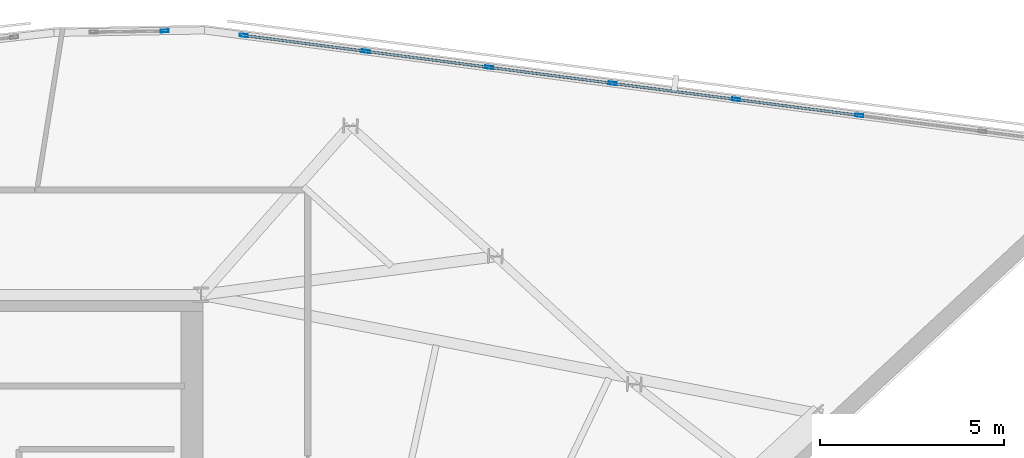
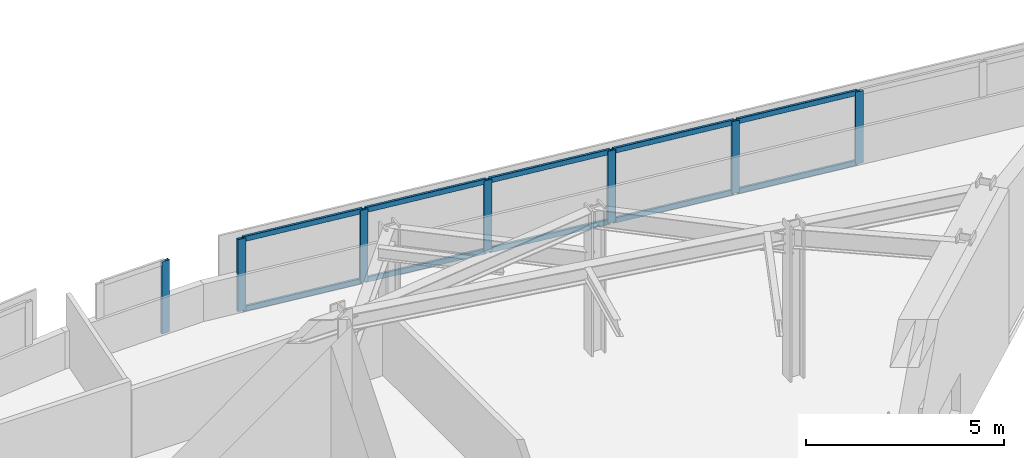
# One storey, part 6 of 12: 17 members, 2 elements without a shape of their own.
"""IFC4 building model written with IfcOpenShell, lengths in metres."""

from ifc_helpers import new_model, si_unit, direction, frame, origin, origin_2d, place, context, subcontext, project, spatial, hollow_rectangle, extrude, material, material_profile, profile_set, type_object, element, aggregate, save


model = new_model("IFC4")

# Units and contexts
model_context = context("Model", 3, precision=1e-05, world=origin(), true_north=direction((0.0, 1.0)))
body_context = subcontext(model_context, "Body", "Model", "MODEL_VIEW")
ifc_project = project(units=[si_unit("LENGTHUNIT", "METRE"), si_unit("AREAUNIT", "SQUARE_METRE"), si_unit("VOLUMEUNIT", "CUBIC_METRE"), si_unit("PLANEANGLEUNIT", "RADIAN"), si_unit("MASSUNIT", "GRAM", prefix="KILO")], contexts=[model_context])

# Site, building, storey
site_placement = place(None, origin())
site = spatial("IfcSite", under=ifc_project, at=site_placement, CompositionType="ELEMENT")
building_placement = place(site_placement, origin())
building = spatial("IfcBuilding", under=site, at=building_placement, Name="Narakoshi Arena Tower", CompositionType="ELEMENT")
storey_placement = place(building_placement, frame((0.0, 0.0, 307.780029296875)))
storey = spatial("IfcBuildingStorey", under=building, at=storey_placement, Name="L83", CompositionType="ELEMENT", Elevation=307.780029296875)

# Curtain wall, member
ifc_material = material(Name="Anodised bronze aluminium 6063-T6", Category="aluminium")
curtain_wall_type = type_object("IfcCurtainWallType", Name="CW-CRN-FACET", PredefinedType="NOTDEFINED", material=ifc_material)
curtain_wall_1_placement = place(storey_placement, origin())
curtain_wall_1 = element("IfcCurtainWall", 1, at=curtain_wall_1_placement, inside=storey, type_object=curtain_wall_type, Name="L83 Slanted-Cut Crown Curtain Wall 7-1", PredefinedType="NOTDEFINED")
ifc_material_profile_1 = material_profile(ifc_material, hollow_rectangle(XDim=0.080078125, YDim=0.219970703125, WallThickness=0.0048828125, OuterFilletRadius=0.006103515625, at=origin_2d()), Name="MUL220x80x5")
ifc_profile_set_1 = profile_set([ifc_material_profile_1], Name="Anodised bronze aluminium 6063-T6")
member_type_1 = type_object("IfcMemberType", Name="MEM-MUL-220", PredefinedType="MULLION", material=ifc_profile_set_1)
member_1_placement = place(storey_placement, frame((84.55908203125, 63.67236328125, 0.0), z_axis=(0.0, 0.0, 1.0), x_axis=(-0.016431226006, 0.999864998293, 0.0)))
member_1 = element("IfcMember", 2, at=member_1_placement, type_object=member_type_1, Name="CW-06 mullion 2", PredefinedType="MULLION", context=body_context, shape_type="SweptSolid", body=[
    extrude(hollow_rectangle(XDim=0.080078125, YDim=0.219970703125, WallThickness=0.0048828125, OuterFilletRadius=0.006103515625, at=origin_2d()), origin(), (0.0, 0.0, 1.0), 2.2216796875),
])
aggregate(curtain_wall_1, [member_1])

# Curtain wall, members
curtain_wall_2_placement = place(storey_placement, origin())
curtain_wall_2 = element("IfcCurtainWall", 3, at=curtain_wall_2_placement, inside=storey, type_object=curtain_wall_type, Name="L83 Slanted-Cut Crown Curtain Wall 8-1", PredefinedType="NOTDEFINED")
member_2_placement = place(storey_placement, frame((86.70947265625, 63.551025390625, 0.0), z_axis=(0.0, 0.0, 1.0), x_axis=(0.128889528611, 0.991658958218, 0.0)))
member_2 = element("IfcMember", 4, at=member_2_placement, type_object=member_type_1, Name="CW-06 mullion 1", PredefinedType="MULLION", context=body_context, shape_type="SweptSolid", body=[
    extrude(hollow_rectangle(XDim=0.080078125, YDim=0.219970703125, WallThickness=0.0048828125, OuterFilletRadius=0.006103515625, at=origin_2d()), origin(), (0.0, 0.0, 1.0), 2.2216796875),
])
member_3_placement = place(storey_placement, frame((90.025146484375, 63.1201171875, 0.0), z_axis=(0.0, 0.0, 1.0), x_axis=(0.128889528611, 0.991658958218, 0.0)))
member_3 = element("IfcMember", 5, at=member_3_placement, type_object=member_type_1, Name="CW-06 mullion 2", PredefinedType="MULLION", context=body_context, shape_type="SweptSolid", body=[
    extrude(hollow_rectangle(XDim=0.080078125, YDim=0.219970703125, WallThickness=0.0048828125, OuterFilletRadius=0.006103515625, at=origin_2d()), origin(), (0.0, 0.0, 1.0), 2.2216796875),
])
member_4_placement = place(storey_placement, frame((93.38037109375, 62.68408203125, 0.0), z_axis=(0.0, 0.0, 1.0), x_axis=(0.128889528611, 0.991658958218, 0.0)))
member_4 = element("IfcMember", 6, at=member_4_placement, type_object=member_type_1, Name="CW-06 mullion 3", PredefinedType="MULLION", context=body_context, shape_type="SweptSolid", body=[
    extrude(hollow_rectangle(XDim=0.080078125, YDim=0.219970703125, WallThickness=0.0048828125, OuterFilletRadius=0.006103515625, at=origin_2d()), origin(), (0.0, 0.0, 1.0), 2.2216796875),
])
member_5_placement = place(storey_placement, frame((96.7353515625, 62.248046875, 0.0), z_axis=(0.0, 0.0, 1.0), x_axis=(0.128889528611, 0.991658958218, 0.0)))
member_5 = element("IfcMember", 7, at=member_5_placement, type_object=member_type_1, Name="CW-06 mullion 4", PredefinedType="MULLION", context=body_context, shape_type="SweptSolid", body=[
    extrude(hollow_rectangle(XDim=0.080078125, YDim=0.219970703125, WallThickness=0.0048828125, OuterFilletRadius=0.006103515625, at=origin_2d()), origin(), (0.0, 0.0, 1.0), 2.2216796875),
])
member_6_placement = place(storey_placement, frame((100.090576171875, 61.811767578125, 0.0), z_axis=(0.0, 0.0, 1.0), x_axis=(0.128889528611, 0.991658958218, 0.0)))
member_6 = element("IfcMember", 8, at=member_6_placement, type_object=member_type_1, Name="CW-06 mullion 5", PredefinedType="MULLION", context=body_context, shape_type="SweptSolid", body=[
    extrude(hollow_rectangle(XDim=0.080078125, YDim=0.219970703125, WallThickness=0.0048828125, OuterFilletRadius=0.006103515625, at=origin_2d()), origin(), (0.0, 0.0, 1.0), 2.2216796875),
])
member_7_placement = place(storey_placement, frame((103.44580078125, 61.375732421875, 0.0), z_axis=(0.0, 0.0, 1.0), x_axis=(0.128889528611, 0.991658958218, 0.0)))
member_7 = element("IfcMember", 9, at=member_7_placement, type_object=member_type_1, Name="CW-06 mullion 6", PredefinedType="MULLION", context=body_context, shape_type="SweptSolid", body=[
    extrude(hollow_rectangle(XDim=0.080078125, YDim=0.219970703125, WallThickness=0.0048828125, OuterFilletRadius=0.006103515625, at=origin_2d()), origin(), (0.0, 0.0, 1.0), 2.2216796875),
])
ifc_material_profile_2 = material_profile(ifc_material, hollow_rectangle(XDim=0.070068359375, YDim=0.159912109375, WallThickness=0.00390625, OuterFilletRadius=0.0048828125, at=origin_2d()), Name="TRN160x70x4")
ifc_profile_set_2 = profile_set([ifc_material_profile_2], Name="Anodised bronze aluminium 6063-T6")
member_type_2 = type_object("IfcMemberType", Name="MEM-TRN-160", PredefinedType="USERDEFINED", material=ifc_profile_set_2)
member_8_placement = place(storey_placement, frame((86.749267578125, 63.5458984375, 0.034912109375), z_axis=(0.991657051906, -0.128904194676, 0.0), x_axis=(0.128904194676, 0.991657051906, 0.0)))
member_8 = element("IfcMember", 10, at=member_8_placement, type_object=member_type_2, Name="CW-06 transom 1.1", ObjectType="TRANSOM", PredefinedType="USERDEFINED", context=body_context, shape_type="SweptSolid", body=[
    extrude(hollow_rectangle(XDim=0.070068359375, YDim=0.159912109375, WallThickness=0.00390625, OuterFilletRadius=0.0048828125, at=origin_2d()), origin(), (0.0, 0.0, 1.0), 3.263427734375),
])
member_9_placement = place(storey_placement, frame((86.749267578125, 63.5458984375, 2.186767578125), z_axis=(0.991657051906, -0.128904194676, 0.0), x_axis=(0.128904194676, 0.991657051906, 0.0)))
member_9 = element("IfcMember", 11, at=member_9_placement, type_object=member_type_2, Name="CW-06 transom 1.2", ObjectType="TRANSOM", PredefinedType="USERDEFINED", context=body_context, shape_type="SweptSolid", body=[
    extrude(hollow_rectangle(XDim=0.070068359375, YDim=0.159912109375, WallThickness=0.00390625, OuterFilletRadius=0.0048828125, at=origin_2d()), origin(), (0.0, 0.0, 1.0), 3.263427734375),
])
member_10_placement = place(storey_placement, frame((90.064697265625, 63.114990234375, 0.034912109375), z_axis=(0.991658829353, -0.128890520077, 0.0), x_axis=(0.128890520077, 0.991658829353, 0.0)))
member_10 = element("IfcMember", 12, at=member_10_placement, type_object=member_type_2, Name="CW-06 transom 2.1", ObjectType="TRANSOM", PredefinedType="USERDEFINED", context=body_context, shape_type="SweptSolid", body=[
    extrude(hollow_rectangle(XDim=0.070068359375, YDim=0.159912109375, WallThickness=0.00390625, OuterFilletRadius=0.0048828125, at=origin_2d()), origin(), (0.0, 0.0, 1.0), 3.303466796875),
])
member_11_placement = place(storey_placement, frame((90.064697265625, 63.114990234375, 2.186767578125), z_axis=(0.991658829353, -0.128890520077, 0.0), x_axis=(0.128890520077, 0.991658829353, 0.0)))
member_11 = element("IfcMember", 13, at=member_11_placement, type_object=member_type_2, Name="CW-06 transom 2.2", ObjectType="TRANSOM", PredefinedType="USERDEFINED", context=body_context, shape_type="SweptSolid", body=[
    extrude(hollow_rectangle(XDim=0.070068359375, YDim=0.159912109375, WallThickness=0.00390625, OuterFilletRadius=0.0048828125, at=origin_2d()), origin(), (0.0, 0.0, 1.0), 3.303466796875),
])
member_12_placement = place(storey_placement, frame((93.419921875, 62.678955078125, 0.034912109375), z_axis=(0.991658829353, -0.128890520077, 0.0), x_axis=(0.128890520077, 0.991658829353, 0.0)))
member_12 = element("IfcMember", 14, at=member_12_placement, type_object=member_type_2, Name="CW-06 transom 3.1", ObjectType="TRANSOM", PredefinedType="USERDEFINED", context=body_context, shape_type="SweptSolid", body=[
    extrude(hollow_rectangle(XDim=0.070068359375, YDim=0.159912109375, WallThickness=0.00390625, OuterFilletRadius=0.0048828125, at=origin_2d()), origin(), (0.0, 0.0, 1.0), 3.303466796875),
])
member_13_placement = place(storey_placement, frame((93.419921875, 62.678955078125, 2.186767578125), z_axis=(0.991658829353, -0.128890520077, 0.0), x_axis=(0.128890520077, 0.991658829353, 0.0)))
member_13 = element("IfcMember", 15, at=member_13_placement, type_object=member_type_2, Name="CW-06 transom 3.2", ObjectType="TRANSOM", PredefinedType="USERDEFINED", context=body_context, shape_type="SweptSolid", body=[
    extrude(hollow_rectangle(XDim=0.070068359375, YDim=0.159912109375, WallThickness=0.00390625, OuterFilletRadius=0.0048828125, at=origin_2d()), origin(), (0.0, 0.0, 1.0), 3.303466796875),
])
member_14_placement = place(storey_placement, frame((96.775146484375, 62.24267578125, 0.034912109375), z_axis=(0.991658829353, -0.128890520077, 0.0), x_axis=(0.128890520077, 0.991658829353, 0.0)))
member_14 = element("IfcMember", 16, at=member_14_placement, type_object=member_type_2, Name="CW-06 transom 4.1", ObjectType="TRANSOM", PredefinedType="USERDEFINED", context=body_context, shape_type="SweptSolid", body=[
    extrude(hollow_rectangle(XDim=0.070068359375, YDim=0.159912109375, WallThickness=0.00390625, OuterFilletRadius=0.0048828125, at=origin_2d()), origin(), (0.0, 0.0, 1.0), 3.303466796875),
])
member_15_placement = place(storey_placement, frame((96.775146484375, 62.24267578125, 2.186767578125), z_axis=(0.991658829353, -0.128890520077, 0.0), x_axis=(0.128890520077, 0.991658829353, 0.0)))
member_15 = element("IfcMember", 17, at=member_15_placement, type_object=member_type_2, Name="CW-06 transom 4.2", ObjectType="TRANSOM", PredefinedType="USERDEFINED", context=body_context, shape_type="SweptSolid", body=[
    extrude(hollow_rectangle(XDim=0.070068359375, YDim=0.159912109375, WallThickness=0.00390625, OuterFilletRadius=0.0048828125, at=origin_2d()), origin(), (0.0, 0.0, 1.0), 3.303466796875),
])
member_16_placement = place(storey_placement, frame((100.13037109375, 61.806640625, 0.034912109375), z_axis=(0.991658829353, -0.128890520077, 0.0), x_axis=(0.128890520077, 0.991658829353, 0.0)))
member_16 = element("IfcMember", 18, at=member_16_placement, type_object=member_type_2, Name="CW-06 transom 5.1", ObjectType="TRANSOM", PredefinedType="USERDEFINED", context=body_context, shape_type="SweptSolid", body=[
    extrude(hollow_rectangle(XDim=0.070068359375, YDim=0.159912109375, WallThickness=0.00390625, OuterFilletRadius=0.0048828125, at=origin_2d()), origin(), (0.0, 0.0, 1.0), 3.303466796875),
])
member_17_placement = place(storey_placement, frame((100.13037109375, 61.806640625, 2.186767578125), z_axis=(0.991658829353, -0.128890520077, 0.0), x_axis=(0.128890520077, 0.991658829353, 0.0)))
member_17 = element("IfcMember", 19, at=member_17_placement, type_object=member_type_2, Name="CW-06 transom 5.2", ObjectType="TRANSOM", PredefinedType="USERDEFINED", context=body_context, shape_type="SweptSolid", body=[
    extrude(hollow_rectangle(XDim=0.070068359375, YDim=0.159912109375, WallThickness=0.00390625, OuterFilletRadius=0.0048828125, at=origin_2d()), origin(), (0.0, 0.0, 1.0), 3.303466796875),
])
aggregate(curtain_wall_2, [member_2, member_3, member_4, member_5, member_6, member_7, member_8, member_9, member_10, member_11, member_12, member_13, member_14, member_15, member_16, member_17])

save(model, "model.ifc")
